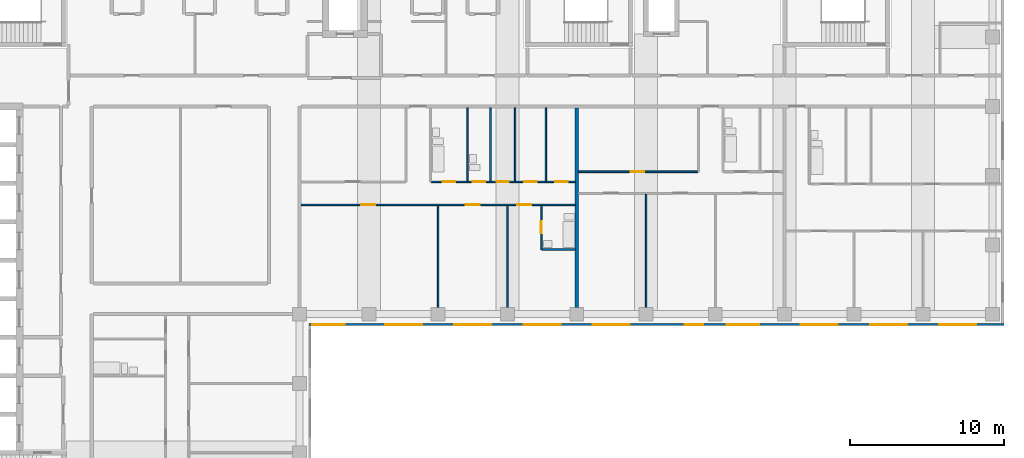
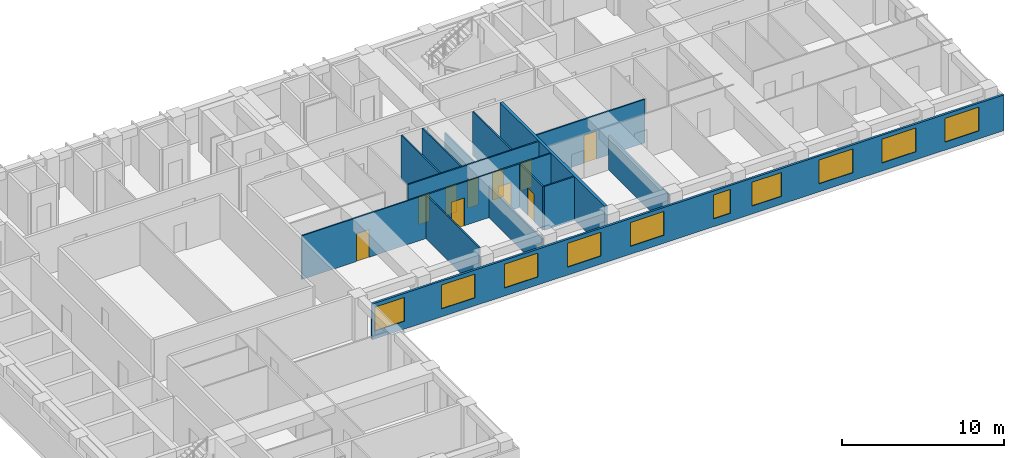
# One storey, part 6 of 11: 14 walls, 10 doors, 10 windows, 20 openings.
"""IFC4 building model written with IfcOpenShell, lengths in metres."""

from ifc_helpers import new_model, si_unit, direction, frame, frame_2d, origin, place, context, subcontext, project, spatial, rectangle, extrude, material, layer, layer_set, type_object, element, fill, save


model = new_model("IFC4")

# Units and contexts
model_context = context("Model", 3, precision=1e-05, world=origin(), true_north=direction((0.0, 1.0)))
body_context = subcontext(model_context, "Body", "Model", "MODEL_VIEW")
ifc_project = project(units=[si_unit("LENGTHUNIT", "METRE"), si_unit("AREAUNIT", "SQUARE_METRE"), si_unit("VOLUMEUNIT", "CUBIC_METRE"), si_unit("PLANEANGLEUNIT", "RADIAN"), si_unit("MASSUNIT", "GRAM", prefix="KILO")], contexts=[model_context])

# Site, building, storey
site_placement = place(None, origin())
site = spatial("IfcSite", under=ifc_project, at=site_placement, CompositionType="ELEMENT")
building_placement = place(site_placement, origin())
building = spatial("IfcBuilding", under=site, at=building_placement, Name="Firuza Court", CompositionType="ELEMENT")
storey_placement = place(building_placement, frame((0.0, 0.0, 179.0)))
storey = spatial("IfcBuildingStorey", under=building, at=storey_placement, Name="L45", CompositionType="ELEMENT", Elevation=179.0)

# Wall, opening, door
ifc_material_1 = material(Name="Moisture-resistant gypsum board partition")
ifc_layer_1 = layer(ifc_material_1, 0.10009765625)
ifc_layer_set_1 = layer_set([ifc_layer_1], Name="Moisture-resistant gypsum board partition")
wall_type_1 = type_object("IfcWallType", Name="Bathroom partition 100", PredefinedType="PLUMBINGWALL", material=ifc_layer_set_1)
wall_1_placement = place(storey_placement, frame((38.199951171875, 40.199951171875, 0.0), z_axis=(0.0, 0.0, 1.0), x_axis=(0.0, 1.0, 0.0)))
wall_1 = element("IfcWall", 1, at=wall_1_placement, inside=storey, type_object=wall_type_1, Name="Bathroom partition 100 L45", PredefinedType="PLUMBINGWALL", context=body_context, shape_type="SweptSolid", body=[
    extrude(rectangle(XDim=2.85009765625, YDim=0.10009765625, at=frame_2d((1.425048828125, 0.0))), origin(), (0.0, 0.0, 1.0), 3.300048828125),
])
opening_1_placement = place(wall_1_placement, frame((1.050048828125, 0.0, 0.0)))
opening_1 = element("IfcOpeningElement", 2, at=opening_1_placement, cuts=wall_1, Name="Opening D45037", PredefinedType="OPENING", context=body_context, shape_type="SweptSolid", body=[
    extrude(rectangle(XDim=0.800048828125, YDim=2.10009765625, at=frame_2d((0.39990234375, 1.050048828125))), frame((0.0, 0.06201171875, 0.0), z_axis=(0.0, -1.0, 0.0), x_axis=(1.0, 0.0, 0.0)), (0.0, 0.0, 1.0), 0.1240234375),
])
ifc_material_2 = material(Name="Timber door leaf in hardwood frame", Category="wood")
door_type_1 = type_object("IfcDoorType", Name="Bathroom door 800", OperationType="SINGLE_SWING_LEFT", PredefinedType="DOOR", material=ifc_material_2)
door_1_placement = place(opening_1_placement, frame((0.800048828125, 0.0, 0.0), z_axis=(0.0, 0.0, 1.0), x_axis=(-1.0, 0.0, 0.0)))
door_1 = element("IfcDoor", 3, at=door_1_placement, inside=storey, type_object=door_type_1, Name="En-suite door", OperationType="SINGLE_SWING_RIGHT", OverallHeight=2.10009765625, OverallWidth=0.800048828125, PredefinedType="DOOR", context=body_context, shape_type="SweptSolid", body=[
    extrude(rectangle(XDim=0.800048828125, YDim=2.10009765625, at=frame_2d((0.39990234375, 1.050048828125))), frame((0.0, 0.02490234375, 0.0), z_axis=(0.0, -1.0, 0.0), x_axis=(1.0, 0.0, 0.0)), (0.0, 0.0, 1.0), 0.050048828125),
])
fill(opening_1, door_1)

# Walls
wall_2_placement = place(storey_placement, frame((38.25, 40.199951171875, 0.0), z_axis=(0.0, 0.0, 1.0), x_axis=(1.0, 0.0, 0.0)))
element("IfcWall", 4, at=wall_2_placement, inside=storey, type_object=wall_type_1, Name="Bathroom partition 100 L45", PredefinedType="PLUMBINGWALL", context=body_context, shape_type="SweptSolid", body=[
    extrude(rectangle(XDim=2.14990234375, YDim=0.10009765625, at=frame_2d((1.074951171875, 0.0))), origin(), (0.0, 0.0, 1.0), 3.300048828125),
])
for number, where, z_axis, x_axis, name in (
    (5, (33.39990234375, 44.64990234375, 0.0), (0.0, 0.0, 1.0), (0.0, 1.0, 0.0), "Bathroom partition 100 L45"),
    (6, (34.89990234375, 44.64990234375, 0.0), (0.0, 0.0, 1.0), (0.0, 1.0, 0.0), "Bathroom partition 100 L45"),
):
    element("IfcWall", number, at=place(storey_placement, frame(where, z_axis=z_axis, x_axis=x_axis)), inside=storey, type_object=wall_type_1, Name=name, PredefinedType="PLUMBINGWALL", context=body_context, shape_type="SweptSolid", body=[
        extrude(rectangle(XDim=4.75, YDim=0.10009765625, at=frame_2d((2.375, 0.0))), origin(), (0.0, 0.0, 1.0), 3.300048828125),
    ])
ifc_material_3 = material(Name="Timber stud partition, plasterboard both sides", Category="wood")
ifc_layer_2 = layer(ifc_material_3, 0.10009765625)
ifc_layer_set_2 = layer_set([ifc_layer_2], Name="Timber stud partition, plasterboard both sides")
wall_type_2 = type_object("IfcWallType", Name="Partition wall 100", PredefinedType="PARTITIONING", material=ifc_layer_set_2)
wall_3_placement = place(storey_placement, frame((31.5, 36.449951171875, 0.0), z_axis=(0.0, 0.0, 1.0), x_axis=(0.0, 1.0, 0.0)))
element("IfcWall", 7, at=wall_3_placement, inside=storey, type_object=wall_type_2, Name="Partition wall 100 L45", PredefinedType="PARTITIONING", context=body_context, shape_type="SweptSolid", body=[
    extrude(rectangle(XDim=6.60009765625, YDim=0.10009765625, at=frame_2d((3.300048828125, 0.0))), origin(), (0.0, 0.0, 1.0), 3.300048828125),
])
wall_4_placement = place(storey_placement, frame((36.0, 36.449951171875, 0.0), z_axis=(0.0, 0.0, 1.0), x_axis=(0.0, 1.0, 0.0)))
element("IfcWall", 8, at=wall_4_placement, inside=storey, type_object=wall_type_2, Name="Partition wall 100 L45", PredefinedType="PARTITIONING", context=body_context, shape_type="SweptSolid", body=[
    extrude(rectangle(XDim=6.60009765625, YDim=0.10009765625, at=frame_2d((3.300048828125, 0.0))), origin(), (0.0, 0.0, 1.0), 2.39990234375),
])
wall_5_placement = place(storey_placement, frame((45.0, 36.449951171875, 0.0), z_axis=(0.0, 0.0, 1.0), x_axis=(0.0, 1.0, 0.0)))
element("IfcWall", 9, at=wall_5_placement, inside=storey, type_object=wall_type_2, Name="Partition wall 100 L45", PredefinedType="PARTITIONING", context=body_context, shape_type="SweptSolid", body=[
    extrude(rectangle(XDim=7.35009765625, YDim=0.10009765625, at=frame_2d((3.675048828125, 0.0))), origin(), (0.0, 0.0, 1.0), 2.60009765625),
])

# Wall, openings, doors
wall_6_placement = place(storey_placement, frame((22.60009765625, 43.10009765625, 0.0), z_axis=(0.0, 0.0, 1.0), x_axis=(1.0, 0.0, 0.0)))
wall_6 = element("IfcWall", 10, at=wall_6_placement, inside=storey, type_object=wall_type_2, Name="Partition wall 100 L45", PredefinedType="PARTITIONING", context=body_context, shape_type="SweptSolid", body=[
    extrude(rectangle(XDim=17.7998046875, YDim=0.10009765625, at=frame_2d((8.89990234375, 0.0))), origin(), (0.0, 0.0, 1.0), 3.300048828125),
])
opening_2_placement = place(wall_6_placement, frame((3.89990234375, 0.0, 0.0)))
opening_2 = element("IfcOpeningElement", 11, at=opening_2_placement, cuts=wall_6, Name="Opening D45041", PredefinedType="OPENING", context=body_context, shape_type="SweptSolid", body=[
    extrude(rectangle(XDim=0.89990234375, YDim=2.10009765625, at=frame_2d((0.449951171875, 1.050048828125))), frame((0.0, 0.06201171875, 0.0), z_axis=(0.0, -1.0, 0.0), x_axis=(1.0, 0.0, 0.0)), (0.0, 0.0, 1.0), 0.1240234375),
])
opening_3_placement = place(wall_6_placement, frame((10.699951171875, 0.0, 0.0)))
opening_3 = element("IfcOpeningElement", 12, at=opening_3_placement, cuts=wall_6, Name="Opening D45042", PredefinedType="OPENING", context=body_context, shape_type="SweptSolid", body=[
    extrude(rectangle(XDim=0.89990234375, YDim=2.10009765625, at=frame_2d((0.449951171875, 1.050048828125))), frame((0.0, 0.06201171875, 0.0), z_axis=(0.0, -1.0, 0.0), x_axis=(1.0, 0.0, 0.0)), (0.0, 0.0, 1.0), 0.1240234375),
])
opening_4_placement = place(wall_6_placement, frame((14.050048828125, 0.0, 0.0)))
opening_4 = element("IfcOpeningElement", 13, at=opening_4_placement, cuts=wall_6, Name="Opening D45043", PredefinedType="OPENING", context=body_context, shape_type="SweptSolid", body=[
    extrude(rectangle(XDim=0.89990234375, YDim=2.10009765625, at=frame_2d((0.449951171875, 1.050048828125))), frame((0.0, 0.06201171875, 0.0), z_axis=(0.0, -1.0, 0.0), x_axis=(1.0, 0.0, 0.0)), (0.0, 0.0, 1.0), 0.1240234375),
])
ifc_material_4 = material(Name="Timber door leaf in hardwood frame", Category="wood")
door_type_2 = type_object("IfcDoorType", Name="Room door 900", OperationType="SINGLE_SWING_LEFT", PredefinedType="DOOR", material=ifc_material_4)
door_2_placement = place(opening_2_placement, frame((0.89990234375, 0.0, 0.0), z_axis=(0.0, 0.0, 1.0), x_axis=(-1.0, 0.0, 0.0)))
door_2 = element("IfcDoor", 14, at=door_2_placement, inside=storey, type_object=door_type_2, Name="Living room door", OperationType="SINGLE_SWING_RIGHT", OverallHeight=2.10009765625, OverallWidth=0.89990234375, PredefinedType="DOOR", context=body_context, shape_type="SweptSolid", body=[
    extrude(rectangle(XDim=0.89990234375, YDim=2.10009765625, at=frame_2d((0.449951171875, 1.050048828125))), frame((0.0, 0.02490234375, 0.0), z_axis=(0.0, -1.0, 0.0), x_axis=(1.0, 0.0, 0.0)), (0.0, 0.0, 1.0), 0.050048828125),
])
fill(opening_2, door_2)
door_3_placement = place(opening_3_placement, frame((0.89990234375, 0.0, 0.0), z_axis=(0.0, 0.0, 1.0), x_axis=(-1.0, 0.0, 0.0)))
door_3 = element("IfcDoor", 15, at=door_3_placement, inside=storey, type_object=door_type_2, Name="Bedroom door", OperationType="SINGLE_SWING_RIGHT", OverallHeight=2.10009765625, OverallWidth=0.89990234375, PredefinedType="DOOR", context=body_context, shape_type="SweptSolid", body=[
    extrude(rectangle(XDim=0.89990234375, YDim=2.10009765625, at=frame_2d((0.449951171875, 1.050048828125))), frame((0.0, 0.02490234375, 0.0), z_axis=(0.0, -1.0, 0.0), x_axis=(1.0, 0.0, 0.0)), (0.0, 0.0, 1.0), 0.050048828125),
])
fill(opening_3, door_3)
door_4_placement = place(opening_4_placement, frame((0.89990234375, 0.0, 0.0), z_axis=(0.0, 0.0, 1.0), x_axis=(-1.0, 0.0, 0.0)))
door_4 = element("IfcDoor", 16, at=door_4_placement, inside=storey, type_object=door_type_2, Name="Bedroom door", OperationType="SINGLE_SWING_RIGHT", OverallHeight=2.10009765625, OverallWidth=0.89990234375, PredefinedType="DOOR", context=body_context, shape_type="SweptSolid", body=[
    extrude(rectangle(XDim=0.89990234375, YDim=2.10009765625, at=frame_2d((0.449951171875, 1.050048828125))), frame((0.0, 0.02490234375, 0.0), z_axis=(0.0, -1.0, 0.0), x_axis=(1.0, 0.0, 0.0)), (0.0, 0.0, 1.0), 0.050048828125),
])
fill(opening_4, door_4)

wall_7_placement = place(storey_placement, frame((31.050048828125, 44.60009765625, 0.0), z_axis=(0.0, 0.0, 1.0), x_axis=(1.0, 0.0, 0.0)))
wall_7 = element("IfcWall", 17, at=wall_7_placement, inside=storey, type_object=wall_type_2, Name="Partition wall 100 L45", PredefinedType="PARTITIONING", context=body_context, shape_type="SweptSolid", body=[
    extrude(rectangle(XDim=9.349853515625, YDim=0.10009765625, at=frame_2d((4.6748046875, 0.0))), origin(), (0.0, 0.0, 1.0), 3.300048828125),
])
opening_5_placement = place(wall_7_placement, frame((0.75, 0.0, 0.0)))
opening_5 = element("IfcOpeningElement", 18, at=opening_5_placement, cuts=wall_7, Name="Opening D45051", PredefinedType="OPENING", context=body_context, shape_type="SweptSolid", body=[
    extrude(rectangle(XDim=0.800048828125, YDim=2.10009765625, at=frame_2d((0.39990234375, 1.050048828125))), frame((0.0, 0.06201171875, 0.0), z_axis=(0.0, -1.0, 0.0), x_axis=(1.0, 0.0, 0.0)), (0.0, 0.0, 1.0), 0.1240234375),
])
opening_6_placement = place(wall_7_placement, frame((8.050048828125, 0.0, 0.0)))
opening_6 = element("IfcOpeningElement", 19, at=opening_6_placement, cuts=wall_7, Name="Opening D45052", PredefinedType="OPENING", context=body_context, shape_type="SweptSolid", body=[
    extrude(rectangle(XDim=0.800048828125, YDim=2.10009765625, at=frame_2d((0.39990234375, 1.050048828125))), frame((0.0, 0.06201171875, 0.0), z_axis=(0.0, -1.0, 0.0), x_axis=(1.0, 0.0, 0.0)), (0.0, 0.0, 1.0), 0.1240234375),
])
opening_7_placement = place(wall_7_placement, frame((4.25, 0.0, 0.0)))
opening_7 = element("IfcOpeningElement", 20, at=opening_7_placement, cuts=wall_7, Name="Opening D45053", PredefinedType="OPENING", context=body_context, shape_type="SweptSolid", body=[
    extrude(rectangle(XDim=0.800048828125, YDim=2.10009765625, at=frame_2d((0.39990234375, 1.050048828125))), frame((0.0, 0.06201171875, 0.0), z_axis=(0.0, -1.0, 0.0), x_axis=(1.0, 0.0, 0.0)), (0.0, 0.0, 1.0), 0.1240234375),
])
opening_8_placement = place(wall_7_placement, frame((6.050048828125, 0.0, 0.0)))
opening_8 = element("IfcOpeningElement", 21, at=opening_8_placement, cuts=wall_7, Name="Opening D45054", PredefinedType="OPENING", context=body_context, shape_type="SweptSolid", body=[
    extrude(rectangle(XDim=0.800048828125, YDim=2.10009765625, at=frame_2d((0.39990234375, 1.050048828125))), frame((0.0, 0.06201171875, 0.0), z_axis=(0.0, -1.0, 0.0), x_axis=(1.0, 0.0, 0.0)), (0.0, 0.0, 1.0), 0.1240234375),
])
opening_9_placement = place(wall_7_placement, frame((2.699951171875, 0.0, 0.0)))
opening_9 = element("IfcOpeningElement", 22, at=opening_9_placement, cuts=wall_7, Name="Opening D45055", PredefinedType="OPENING", context=body_context, shape_type="SweptSolid", body=[
    extrude(rectangle(XDim=0.800048828125, YDim=2.10009765625, at=frame_2d((0.39990234375, 1.050048828125))), frame((0.0, 0.06201171875, 0.0), z_axis=(0.0, -1.0, 0.0), x_axis=(1.0, 0.0, 0.0)), (0.0, 0.0, 1.0), 0.1240234375),
])
door_5_placement = place(opening_5_placement, origin())
door_5 = element("IfcDoor", 23, at=door_5_placement, inside=storey, type_object=door_type_1, Name="Bathroom door", OperationType="SINGLE_SWING_LEFT", OverallHeight=2.10009765625, OverallWidth=0.800048828125, PredefinedType="DOOR", context=body_context, shape_type="SweptSolid", body=[
    extrude(rectangle(XDim=0.800048828125, YDim=2.10009765625, at=frame_2d((0.39990234375, 1.050048828125))), frame((0.0, 0.02490234375, 0.0), z_axis=(0.0, -1.0, 0.0), x_axis=(1.0, 0.0, 0.0)), (0.0, 0.0, 1.0), 0.050048828125),
])
fill(opening_5, door_5)
door_6_placement = place(opening_9_placement, origin())
door_6 = element("IfcDoor", 24, at=door_6_placement, inside=storey, type_object=door_type_1, Name="Powder room door", OperationType="SINGLE_SWING_LEFT", OverallHeight=2.10009765625, OverallWidth=0.800048828125, PredefinedType="DOOR", context=body_context, shape_type="SweptSolid", body=[
    extrude(rectangle(XDim=0.800048828125, YDim=2.10009765625, at=frame_2d((0.39990234375, 1.050048828125))), frame((0.0, 0.02490234375, 0.0), z_axis=(0.0, -1.0, 0.0), x_axis=(1.0, 0.0, 0.0)), (0.0, 0.0, 1.0), 0.050048828125),
])
fill(opening_9, door_6)
ifc_material_5 = material(Name="Timber door leaf in hardwood frame", Category="wood")
door_type_3 = type_object("IfcDoorType", Name="Room door 800", OperationType="SINGLE_SWING_LEFT", PredefinedType="DOOR", material=ifc_material_5)
door_7_placement = place(opening_6_placement, origin())
door_7 = element("IfcDoor", 25, at=door_7_placement, inside=storey, type_object=door_type_3, Name="Pantry door", OperationType="SINGLE_SWING_LEFT", OverallHeight=2.10009765625, OverallWidth=0.800048828125, PredefinedType="DOOR", context=body_context, shape_type="SweptSolid", body=[
    extrude(rectangle(XDim=0.800048828125, YDim=2.10009765625, at=frame_2d((0.39990234375, 1.050048828125))), frame((0.0, 0.02490234375, 0.0), z_axis=(0.0, -1.0, 0.0), x_axis=(1.0, 0.0, 0.0)), (0.0, 0.0, 1.0), 0.050048828125),
])
fill(opening_6, door_7)
door_8_placement = place(opening_7_placement, origin())
door_8 = element("IfcDoor", 26, at=door_8_placement, inside=storey, type_object=door_type_3, Name="Store door", OperationType="SINGLE_SWING_LEFT", OverallHeight=2.10009765625, OverallWidth=0.800048828125, PredefinedType="DOOR", context=body_context, shape_type="SweptSolid", body=[
    extrude(rectangle(XDim=0.800048828125, YDim=2.10009765625, at=frame_2d((0.39990234375, 1.050048828125))), frame((0.0, 0.02490234375, 0.0), z_axis=(0.0, -1.0, 0.0), x_axis=(1.0, 0.0, 0.0)), (0.0, 0.0, 1.0), 0.050048828125),
])
fill(opening_7, door_8)
door_9_placement = place(opening_8_placement, origin())
door_9 = element("IfcDoor", 27, at=door_9_placement, inside=storey, type_object=door_type_3, Name="Utility room door", OperationType="SINGLE_SWING_LEFT", OverallHeight=2.10009765625, OverallWidth=0.800048828125, PredefinedType="DOOR", context=body_context, shape_type="SweptSolid", body=[
    extrude(rectangle(XDim=0.800048828125, YDim=2.10009765625, at=frame_2d((0.39990234375, 1.050048828125))), frame((0.0, 0.02490234375, 0.0), z_axis=(0.0, -1.0, 0.0), x_axis=(1.0, 0.0, 0.0)), (0.0, 0.0, 1.0), 0.050048828125),
])
fill(opening_8, door_9)

# Walls
wall_8_placement = place(storey_placement, frame((36.5, 44.64990234375, 0.0), z_axis=(0.0, 0.0, 1.0), x_axis=(0.0, 1.0, 0.0)))
element("IfcWall", 28, at=wall_8_placement, inside=storey, type_object=wall_type_2, Name="Partition wall 100 L45", PredefinedType="PARTITIONING", context=body_context, shape_type="SweptSolid", body=[
    extrude(rectangle(XDim=4.75, YDim=0.10009765625, at=frame_2d((2.375, 0.0))), origin(), (0.0, 0.0, 1.0), 2.39990234375),
])
wall_9_placement = place(storey_placement, frame((38.5, 44.64990234375, 0.0), z_axis=(0.0, 0.0, 1.0), x_axis=(0.0, 1.0, 0.0)))
element("IfcWall", 29, at=wall_9_placement, inside=storey, type_object=wall_type_2, Name="Partition wall 100 L45", PredefinedType="PARTITIONING", context=body_context, shape_type="SweptSolid", body=[
    extrude(rectangle(XDim=4.75, YDim=0.10009765625, at=frame_2d((2.375, 0.0))), origin(), (0.0, 0.0, 1.0), 3.300048828125),
])

# Wall, opening, door
wall_10_placement = place(storey_placement, frame((40.60009765625, 45.25, 0.0), z_axis=(0.0, 0.0, 1.0), x_axis=(1.0, 0.0, 0.0)))
wall_10 = element("IfcWall", 30, at=wall_10_placement, inside=storey, type_object=wall_type_2, Name="Partition wall 100 L45", PredefinedType="PARTITIONING", context=body_context, shape_type="SweptSolid", body=[
    extrude(rectangle(XDim=7.75, YDim=0.10009765625, at=frame_2d((3.875, 0.0))), origin(), (0.0, 0.0, 1.0), 3.300048828125),
])
opening_10_placement = place(wall_10_placement, frame((3.39990234375, 0.0, 0.0)))
opening_10 = element("IfcOpeningElement", 31, at=opening_10_placement, cuts=wall_10, Name="Opening D45056", PredefinedType="OPENING", context=body_context, shape_type="SweptSolid", body=[
    extrude(rectangle(XDim=0.89990234375, YDim=2.10009765625, at=frame_2d((0.449951171875, 1.050048828125))), frame((0.0, 0.06201171875, 0.0), z_axis=(0.0, -1.0, 0.0), x_axis=(1.0, 0.0, 0.0)), (0.0, 0.0, 1.0), 0.1240234375),
])
door_10_placement = place(opening_10_placement, origin())
door_10 = element("IfcDoor", 32, at=door_10_placement, inside=storey, type_object=door_type_2, Name="Kitchen door", OperationType="SINGLE_SWING_LEFT", OverallHeight=2.10009765625, OverallWidth=0.89990234375, PredefinedType="DOOR", context=body_context, shape_type="SweptSolid", body=[
    extrude(rectangle(XDim=0.89990234375, YDim=2.10009765625, at=frame_2d((0.449951171875, 1.050048828125))), frame((0.0, 0.02490234375, 0.0), z_axis=(0.0, -1.0, 0.0), x_axis=(1.0, 0.0, 0.0)), (0.0, 0.0, 1.0), 0.050048828125),
])
fill(opening_10, door_10)

# Wall
ifc_material_6 = material(Name="Blockwork, plastered both sides", Category="masonry")
ifc_layer_3 = layer(ifc_material_6, 0.199951171875)
ifc_layer_set_3 = layer_set([ifc_layer_3], Name="Blockwork, plastered both sides")
wall_type_3 = type_object("IfcWallType", Name="Party wall 200", PredefinedType="PARTITIONING", material=ifc_layer_set_3)
wall_11_placement = place(storey_placement, frame((40.5, 36.449951171875, 0.0), z_axis=(0.0, 0.0, 1.0), x_axis=(0.0, 1.0, 0.0)))
element("IfcWall", 33, at=wall_11_placement, inside=storey, type_object=wall_type_3, Name="Party wall 200 L45", PredefinedType="PARTITIONING", context=body_context, shape_type="SweptSolid", body=[
    extrude(rectangle(XDim=12.949951171875, YDim=0.199951171875, at=frame_2d((6.47509765625, 0.0))), origin(), (0.0, 0.0, 1.0), 3.300048828125),
])

# Wall, openings, windows
ifc_material_7 = material(Name="Ceramic tile", Category="ceramic")
ifc_layer_4 = layer(ifc_material_7, 0.02001953125)
ifc_material_8 = material(Name="Mineral wool insulation", Category="insulation")
ifc_layer_5 = layer(ifc_material_8, 0.050048828125)
ifc_material_9 = material(Name="Concrete C40/50 precast", Category="concrete")
ifc_layer_6 = layer(ifc_material_9, 0.080078125)
ifc_layer_set_4 = layer_set([ifc_layer_4, ifc_layer_5, ifc_layer_6], Name="Concrete C40/50 precast")
wall_type_4 = type_object("IfcWallType", Name="Precast cladding wall with turquoise TILE PANEL face 150", PredefinedType="STANDARD", material=ifc_layer_set_4)
wall_12_placement = place(storey_placement, frame((23.10009765625, 35.324951171875, 0.0), z_axis=(0.0, 0.0, 1.0), x_axis=(1.0, 0.0, 0.0)))
wall_12 = element("IfcWall", 34, at=wall_12_placement, inside=storey, type_object=wall_type_4, Name="Facade wall L45 S", PredefinedType="STANDARD", context=body_context, shape_type="SweptSolid", body=[
    extrude(rectangle(XDim=45.14990234375, YDim=0.14990234375, at=frame_2d((22.574951171875, 0.0))), origin(), (0.0, 0.0, 1.0), 2.699951171875),
])
opening_11_placement = place(wall_12_placement, frame((0.216796875, 0.0, 0.60009765625)))
opening_11 = element("IfcOpeningElement", 35, at=opening_11_placement, cuts=wall_12, Name="Opening W6", PredefinedType="OPENING", context=body_context, shape_type="SweptSolid", body=[
    extrude(rectangle(XDim=2.10009765625, YDim=1.800048828125, at=frame_2d((1.050048828125, 0.89990234375))), frame((0.0, 0.0869140625, 0.0), z_axis=(0.0, -1.0, 0.0), x_axis=(1.0, 0.0, 0.0)), (0.0, 0.0, 1.0), 0.173828125),
])
opening_12_placement = place(wall_12_placement, frame((4.949951171875, 0.0, 0.60009765625)))
opening_12 = element("IfcOpeningElement", 36, at=opening_12_placement, cuts=wall_12, Name="Opening W1", PredefinedType="OPENING", context=body_context, shape_type="SweptSolid", body=[
    extrude(rectangle(XDim=2.39990234375, YDim=1.800048828125, at=frame_2d((1.199951171875, 0.89990234375))), frame((0.0, 0.0869140625, 0.0), z_axis=(0.0, -1.0, 0.0), x_axis=(1.0, 0.0, 0.0)), (0.0, 0.0, 1.0), 0.173828125),
])
opening_13_placement = place(wall_12_placement, frame((9.449951171875, 0.0, 0.60009765625)))
opening_13 = element("IfcOpeningElement", 37, at=opening_13_placement, cuts=wall_12, Name="Opening W1", PredefinedType="OPENING", context=body_context, shape_type="SweptSolid", body=[
    extrude(rectangle(XDim=2.39990234375, YDim=1.800048828125, at=frame_2d((1.199951171875, 0.89990234375))), frame((0.0, 0.0869140625, 0.0), z_axis=(0.0, -1.0, 0.0), x_axis=(1.0, 0.0, 0.0)), (0.0, 0.0, 1.0), 0.173828125),
])
opening_14_placement = place(wall_12_placement, frame((13.949951171875, 0.0, 0.60009765625)))
opening_14 = element("IfcOpeningElement", 38, at=opening_14_placement, cuts=wall_12, Name="Opening W1", PredefinedType="OPENING", context=body_context, shape_type="SweptSolid", body=[
    extrude(rectangle(XDim=2.39990234375, YDim=1.800048828125, at=frame_2d((1.199951171875, 0.89990234375))), frame((0.0, 0.0869140625, 0.0), z_axis=(0.0, -1.0, 0.0), x_axis=(1.0, 0.0, 0.0)), (0.0, 0.0, 1.0), 0.173828125),
])
opening_15_placement = place(wall_12_placement, frame((18.449951171875, 0.0, 0.60009765625)))
opening_15 = element("IfcOpeningElement", 39, at=opening_15_placement, cuts=wall_12, Name="Opening W1", PredefinedType="OPENING", context=body_context, shape_type="SweptSolid", body=[
    extrude(rectangle(XDim=2.39990234375, YDim=1.800048828125, at=frame_2d((1.199951171875, 0.89990234375))), frame((0.0, 0.0869140625, 0.0), z_axis=(0.0, -1.0, 0.0), x_axis=(1.0, 0.0, 0.0)), (0.0, 0.0, 1.0), 0.173828125),
])
opening_16_placement = place(wall_12_placement, frame((24.4033203125, 0.0, 0.60009765625)))
opening_16 = element("IfcOpeningElement", 40, at=opening_16_placement, cuts=wall_12, Name="Opening W8", PredefinedType="OPENING", context=body_context, shape_type="SweptSolid", body=[
    extrude(rectangle(XDim=1.199951171875, YDim=1.800048828125, at=frame_2d((0.60009765625, 0.89990234375))), frame((0.0, 0.0869140625, 0.0), z_axis=(0.0, -1.0, 0.0), x_axis=(1.0, 0.0, 0.0)), (0.0, 0.0, 1.0), 0.173828125),
])
opening_17_placement = place(wall_12_placement, frame((27.140625, 0.0, 0.60009765625)))
opening_17 = element("IfcOpeningElement", 41, at=opening_17_placement, cuts=wall_12, Name="Opening W6", PredefinedType="OPENING", context=body_context, shape_type="SweptSolid", body=[
    extrude(rectangle(XDim=2.10009765625, YDim=1.800048828125, at=frame_2d((1.050048828125, 0.89990234375))), frame((0.0, 0.0869140625, 0.0), z_axis=(0.0, -1.0, 0.0), x_axis=(1.0, 0.0, 0.0)), (0.0, 0.0, 1.0), 0.173828125),
])
opening_18_placement = place(wall_12_placement, frame((31.949951171875, 0.0, 0.60009765625)))
opening_18 = element("IfcOpeningElement", 42, at=opening_18_placement, cuts=wall_12, Name="Opening W1", PredefinedType="OPENING", context=body_context, shape_type="SweptSolid", body=[
    extrude(rectangle(XDim=2.39990234375, YDim=1.800048828125, at=frame_2d((1.199951171875, 0.89990234375))), frame((0.0, 0.0869140625, 0.0), z_axis=(0.0, -1.0, 0.0), x_axis=(1.0, 0.0, 0.0)), (0.0, 0.0, 1.0), 0.173828125),
])
opening_19_placement = place(wall_12_placement, frame((36.449951171875, 0.0, 0.60009765625)))
opening_19 = element("IfcOpeningElement", 43, at=opening_19_placement, cuts=wall_12, Name="Opening W1", PredefinedType="OPENING", context=body_context, shape_type="SweptSolid", body=[
    extrude(rectangle(XDim=2.39990234375, YDim=1.800048828125, at=frame_2d((1.199951171875, 0.89990234375))), frame((0.0, 0.0869140625, 0.0), z_axis=(0.0, -1.0, 0.0), x_axis=(1.0, 0.0, 0.0)), (0.0, 0.0, 1.0), 0.173828125),
])
opening_20_placement = place(wall_12_placement, frame((40.949951171875, 0.0, 0.60009765625)))
opening_20 = element("IfcOpeningElement", 44, at=opening_20_placement, cuts=wall_12, Name="Opening W1", PredefinedType="OPENING", context=body_context, shape_type="SweptSolid", body=[
    extrude(rectangle(XDim=2.39990234375, YDim=1.800048828125, at=frame_2d((1.199951171875, 0.89990234375))), frame((0.0, 0.0869140625, 0.0), z_axis=(0.0, -1.0, 0.0), x_axis=(1.0, 0.0, 0.0)), (0.0, 0.0, 1.0), 0.173828125),
])
ifc_material_10 = material(Name="Aluminium frame, triple clear glazing", Category="aluminium")
window_type_1 = type_object("IfcWindowType", Name="Window W1 2400 x 1800", PartitioningType="SINGLE_PANEL", PredefinedType="WINDOW", material=ifc_material_10)
window_1_placement = place(opening_12_placement, origin())
window_1 = element("IfcWindow", 45, at=window_1_placement, inside=storey, type_object=window_type_1, Name="Window L45", OverallHeight=1.800048828125, OverallWidth=2.39990234375, PartitioningType="SINGLE_PANEL", PredefinedType="WINDOW", context=body_context, shape_type="SweptSolid", body=[
    extrude(rectangle(XDim=2.39990234375, YDim=1.800048828125, at=frame_2d((1.199951171875, 0.89990234375))), frame((0.0, 0.030029296875, 0.0), z_axis=(0.0, -1.0, 0.0), x_axis=(1.0, 0.0, 0.0)), (0.0, 0.0, 1.0), 0.06005859375),
])
fill(opening_12, window_1)
window_2_placement = place(opening_13_placement, origin())
window_2 = element("IfcWindow", 46, at=window_2_placement, inside=storey, type_object=window_type_1, Name="Window L45", OverallHeight=1.800048828125, OverallWidth=2.39990234375, PartitioningType="SINGLE_PANEL", PredefinedType="WINDOW", context=body_context, shape_type="SweptSolid", body=[
    extrude(rectangle(XDim=2.39990234375, YDim=1.800048828125, at=frame_2d((1.199951171875, 0.89990234375))), frame((0.0, 0.030029296875, 0.0), z_axis=(0.0, -1.0, 0.0), x_axis=(1.0, 0.0, 0.0)), (0.0, 0.0, 1.0), 0.06005859375),
])
fill(opening_13, window_2)
window_3_placement = place(opening_14_placement, origin())
window_3 = element("IfcWindow", 47, at=window_3_placement, inside=storey, type_object=window_type_1, Name="Window L45", OverallHeight=1.800048828125, OverallWidth=2.39990234375, PartitioningType="SINGLE_PANEL", PredefinedType="WINDOW", context=body_context, shape_type="SweptSolid", body=[
    extrude(rectangle(XDim=2.39990234375, YDim=1.800048828125, at=frame_2d((1.199951171875, 0.89990234375))), frame((0.0, 0.030029296875, 0.0), z_axis=(0.0, -1.0, 0.0), x_axis=(1.0, 0.0, 0.0)), (0.0, 0.0, 1.0), 0.06005859375),
])
fill(opening_14, window_3)
window_4_placement = place(opening_15_placement, origin())
window_4 = element("IfcWindow", 48, at=window_4_placement, inside=storey, type_object=window_type_1, Name="Window L45", OverallHeight=1.800048828125, OverallWidth=2.39990234375, PartitioningType="SINGLE_PANEL", PredefinedType="WINDOW", context=body_context, shape_type="SweptSolid", body=[
    extrude(rectangle(XDim=2.39990234375, YDim=1.800048828125, at=frame_2d((1.199951171875, 0.89990234375))), frame((0.0, 0.030029296875, 0.0), z_axis=(0.0, -1.0, 0.0), x_axis=(1.0, 0.0, 0.0)), (0.0, 0.0, 1.0), 0.06005859375),
])
fill(opening_15, window_4)
window_5_placement = place(opening_18_placement, origin())
window_5 = element("IfcWindow", 49, at=window_5_placement, inside=storey, type_object=window_type_1, Name="Window L45", OverallHeight=1.800048828125, OverallWidth=2.39990234375, PartitioningType="SINGLE_PANEL", PredefinedType="WINDOW", context=body_context, shape_type="SweptSolid", body=[
    extrude(rectangle(XDim=2.39990234375, YDim=1.800048828125, at=frame_2d((1.199951171875, 0.89990234375))), frame((0.0, 0.030029296875, 0.0), z_axis=(0.0, -1.0, 0.0), x_axis=(1.0, 0.0, 0.0)), (0.0, 0.0, 1.0), 0.06005859375),
])
fill(opening_18, window_5)
window_6_placement = place(opening_19_placement, origin())
window_6 = element("IfcWindow", 50, at=window_6_placement, inside=storey, type_object=window_type_1, Name="Window L45", OverallHeight=1.800048828125, OverallWidth=2.39990234375, PartitioningType="SINGLE_PANEL", PredefinedType="WINDOW", context=body_context, shape_type="SweptSolid", body=[
    extrude(rectangle(XDim=2.39990234375, YDim=1.800048828125, at=frame_2d((1.199951171875, 0.89990234375))), frame((0.0, 0.030029296875, 0.0), z_axis=(0.0, -1.0, 0.0), x_axis=(1.0, 0.0, 0.0)), (0.0, 0.0, 1.0), 0.06005859375),
])
fill(opening_19, window_6)
window_7_placement = place(opening_20_placement, origin())
window_7 = element("IfcWindow", 51, at=window_7_placement, inside=storey, type_object=window_type_1, Name="Window L45", OverallHeight=1.800048828125, OverallWidth=2.39990234375, PartitioningType="SINGLE_PANEL", PredefinedType="WINDOW", context=body_context, shape_type="SweptSolid", body=[
    extrude(rectangle(XDim=2.39990234375, YDim=1.800048828125, at=frame_2d((1.199951171875, 0.89990234375))), frame((0.0, 0.030029296875, 0.0), z_axis=(0.0, -1.0, 0.0), x_axis=(1.0, 0.0, 0.0)), (0.0, 0.0, 1.0), 0.06005859375),
])
fill(opening_20, window_7)
ifc_material_11 = material(Name="Aluminium frame, triple clear glazing", Category="aluminium")
window_type_2 = type_object("IfcWindowType", Name="Window W6 2100 x 1800", PartitioningType="SINGLE_PANEL", PredefinedType="WINDOW", material=ifc_material_11)
window_8_placement = place(opening_11_placement, origin())
window_8 = element("IfcWindow", 52, at=window_8_placement, inside=storey, type_object=window_type_2, Name="Window L45", OverallHeight=1.800048828125, OverallWidth=2.10009765625, PartitioningType="SINGLE_PANEL", PredefinedType="WINDOW", context=body_context, shape_type="SweptSolid", body=[
    extrude(rectangle(XDim=2.10009765625, YDim=1.800048828125, at=frame_2d((1.050048828125, 0.89990234375))), frame((0.0, 0.030029296875, 0.0), z_axis=(0.0, -1.0, 0.0), x_axis=(1.0, 0.0, 0.0)), (0.0, 0.0, 1.0), 0.06005859375),
])
fill(opening_11, window_8)
window_9_placement = place(opening_17_placement, origin())
window_9 = element("IfcWindow", 53, at=window_9_placement, inside=storey, type_object=window_type_2, Name="Window L45", OverallHeight=1.800048828125, OverallWidth=2.10009765625, PartitioningType="SINGLE_PANEL", PredefinedType="WINDOW", context=body_context, shape_type="SweptSolid", body=[
    extrude(rectangle(XDim=2.10009765625, YDim=1.800048828125, at=frame_2d((1.050048828125, 0.89990234375))), frame((0.0, 0.030029296875, 0.0), z_axis=(0.0, -1.0, 0.0), x_axis=(1.0, 0.0, 0.0)), (0.0, 0.0, 1.0), 0.06005859375),
])
fill(opening_17, window_9)
ifc_material_12 = material(Name="Aluminium frame, triple clear glazing", Category="aluminium")
window_type_3 = type_object("IfcWindowType", Name="Window W8 1200 x 1800", PartitioningType="SINGLE_PANEL", PredefinedType="WINDOW", material=ifc_material_12)
window_10_placement = place(opening_16_placement, origin())
window_10 = element("IfcWindow", 54, at=window_10_placement, inside=storey, type_object=window_type_3, Name="Window L45", OverallHeight=1.800048828125, OverallWidth=1.199951171875, PartitioningType="SINGLE_PANEL", PredefinedType="WINDOW", context=body_context, shape_type="SweptSolid", body=[
    extrude(rectangle(XDim=1.199951171875, YDim=1.800048828125, at=frame_2d((0.60009765625, 0.89990234375))), frame((0.0, 0.030029296875, 0.0), z_axis=(0.0, -1.0, 0.0), x_axis=(1.0, 0.0, 0.0)), (0.0, 0.0, 1.0), 0.06005859375),
])
fill(opening_16, window_10)

save(model, "model.ifc")
